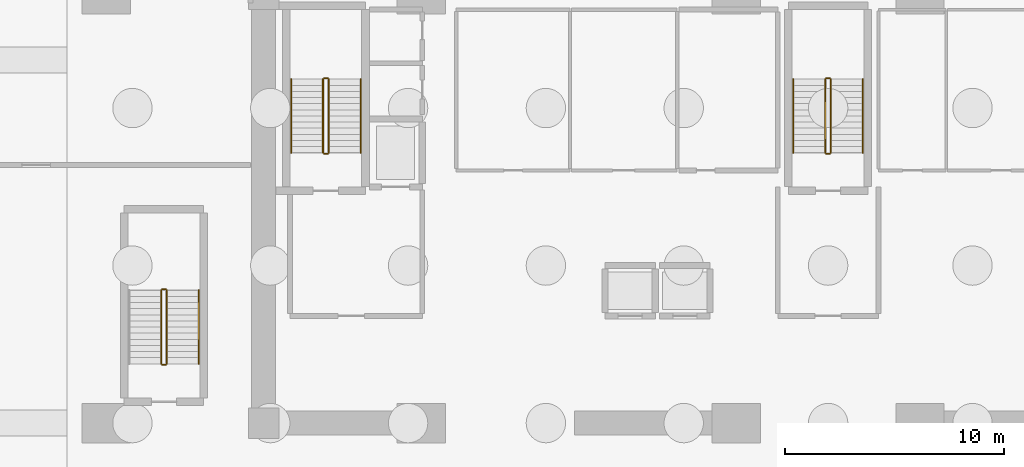
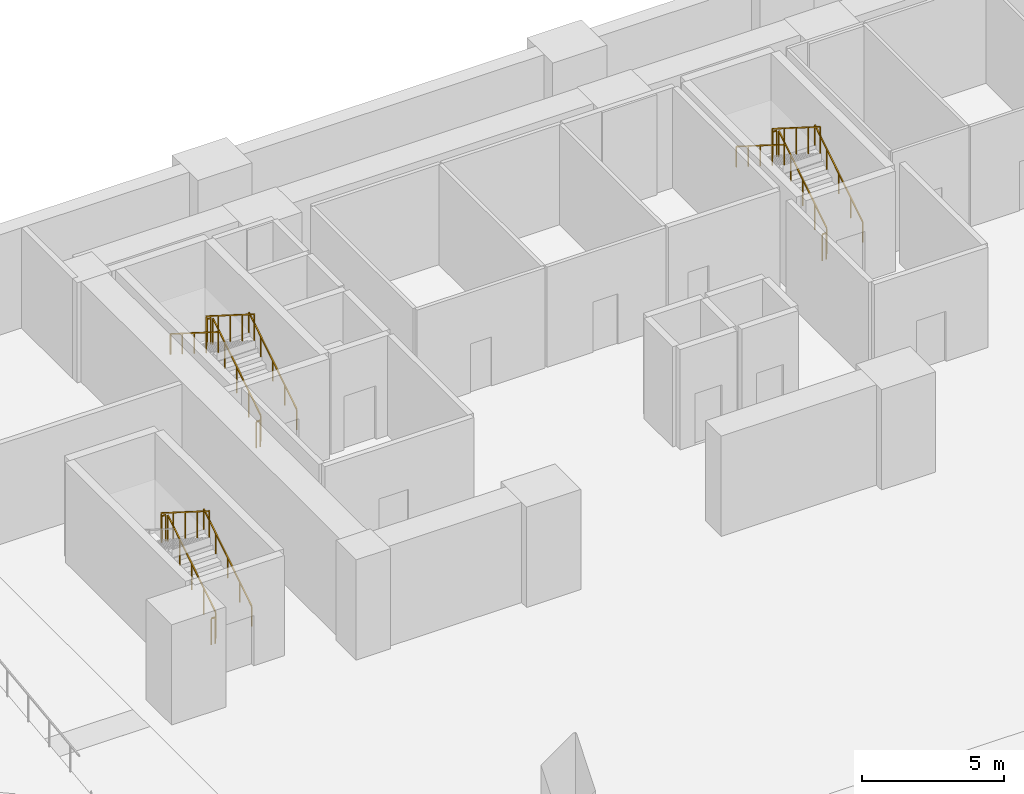
# One storey, part 8 of 10: 17 railings.
"""IFC4 building model written with IfcOpenShell, lengths in metres."""

from ifc_helpers import new_model, si_unit, direction, frame, origin, origin_2d, place, context, subcontext, project, spatial, rectangle, extrude, material, type_object, element, save


model = new_model("IFC4")

# Units and contexts
model_context = context("Model", 3, precision=1e-05, world=origin(), true_north=direction((0.0, 1.0)))
body_context = subcontext(model_context, "Body", "Model", "MODEL_VIEW")
ifc_project = project(units=[si_unit("LENGTHUNIT", "METRE"), si_unit("AREAUNIT", "SQUARE_METRE"), si_unit("VOLUMEUNIT", "CUBIC_METRE"), si_unit("PLANEANGLEUNIT", "RADIAN"), si_unit("MASSUNIT", "GRAM", prefix="KILO")], contexts=[model_context])

# Site, building, storey
site_placement = place(None, origin())
site = spatial("IfcSite", under=ifc_project, at=site_placement, CompositionType="ELEMENT")
building_placement = place(site_placement, origin())
building = spatial("IfcBuilding", under=site, at=building_placement, Name="Kaelvorn Grand Hotel", CompositionType="ELEMENT")
storey_placement = place(building_placement, frame((0.0, 0.0, -9.199951171875)))
storey = spatial("IfcBuildingStorey", under=building, at=storey_placement, Name="B02", CompositionType="ELEMENT", Elevation=-9.199951171875)

# Railings
ifc_material = material(Name="Stainless Steel", Category="steel")
railing_type_1 = type_object("IfcRailingType", Name="RL-HANDRAIL-900", PredefinedType="HANDRAIL", material=ifc_material)
railing_1_placement = place(storey_placement, frame((20.6298828125, 41.760009765625, 0.1767578125)))
element("IfcRailing", 1, at=railing_1_placement, inside=storey, type_object=railing_type_1, Name="B02 ST1 stair handrail 1", PredefinedType="HANDRAIL", context=body_context, shape_type="SweptSolid", body=[
    extrude(rectangle(XDim=0.048095703125, YDim=0.048095703125, at=origin_2d()), frame((0.0, 0.0, 0.8759765625), z_axis=(0.0, 0.845361898145, 0.534194029511), x_axis=(-1.0, 0.0, 0.0)), (0.0, 0.0, 1.0), 3.974853515625),
    extrude(rectangle(XDim=0.0419921875, YDim=0.0419921875, at=origin_2d()), origin(), (0.0, 0.0, 1.0), 0.851806640625),
    extrude(rectangle(XDim=0.0419921875, YDim=0.0419921875, at=origin_2d()), frame((0.0, 0.840087890625, 0.53076171875)), (0.0, 0.0, 1.0), 0.851806640625),
    extrude(rectangle(XDim=0.0419921875, YDim=0.0419921875, at=origin_2d()), frame((0.0, 1.68017578125, 1.0615234375)), (0.0, 0.0, 1.0), 0.851806640625),
    extrude(rectangle(XDim=0.0419921875, YDim=0.0419921875, at=origin_2d()), frame((0.0, 2.52001953125, 1.592529296875)), (0.0, 0.0, 1.0), 0.851806640625),
    extrude(rectangle(XDim=0.0419921875, YDim=0.0419921875, at=origin_2d()), frame((0.0, 3.360107421875, 2.123291015625)), (0.0, 0.0, 1.0), 0.851806640625),
])
railing_2_placement = place(storey_placement, frame((17.449951171875, 45.1201171875, 2.476806640625)))
element("IfcRailing", 2, at=railing_2_placement, inside=storey, type_object=railing_type_1, Name="B02 ST1 stair handrail 2", PredefinedType="HANDRAIL", context=body_context, shape_type="SweptSolid", body=[
    extrude(rectangle(XDim=0.048095703125, YDim=0.048095703125, at=origin_2d()), frame((0.0, 0.0, 0.8759765625), z_axis=(0.0, -0.845389635667, 0.534150132366), x_axis=(1.0, 0.0, 0.0)), (0.0, 0.0, 1.0), 3.974609375),
    extrude(rectangle(XDim=0.0419921875, YDim=0.0419921875, at=origin_2d()), origin(), (0.0, 0.0, 1.0), 0.851806640625),
    extrude(rectangle(XDim=0.0419921875, YDim=0.0419921875, at=origin_2d()), frame((0.0, -0.840087890625, 0.53076171875)), (0.0, 0.0, 1.0), 0.851806640625),
    extrude(rectangle(XDim=0.0419921875, YDim=0.0419921875, at=origin_2d()), frame((0.0, -1.68017578125, 1.0615234375)), (0.0, 0.0, 1.0), 0.851806640625),
    extrude(rectangle(XDim=0.0419921875, YDim=0.0419921875, at=origin_2d()), frame((0.0, -2.52001953125, 1.59228515625)), (0.0, 0.0, 1.0), 0.851806640625),
    extrude(rectangle(XDim=0.0419921875, YDim=0.0419921875, at=origin_2d()), frame((0.0, -3.360107421875, 2.123046875)), (0.0, 0.0, 1.0), 0.851806640625),
])
railing_3_placement = place(storey_placement, frame((43.590087890625, 41.760009765625, 0.1767578125)))
element("IfcRailing", 3, at=railing_3_placement, inside=storey, type_object=railing_type_1, Name="B02 ST2 stair handrail 1", PredefinedType="HANDRAIL", context=body_context, shape_type="SweptSolid", body=[
    extrude(rectangle(XDim=0.048095703125, YDim=0.048095703125, at=origin_2d()), frame((0.0, 0.0, 0.8759765625), z_axis=(0.0, 0.845361898145, 0.534194029511), x_axis=(-1.0, 0.0, 0.0)), (0.0, 0.0, 1.0), 3.974853515625),
    extrude(rectangle(XDim=0.0419921875, YDim=0.0419921875, at=origin_2d()), origin(), (0.0, 0.0, 1.0), 0.851806640625),
    extrude(rectangle(XDim=0.0419921875, YDim=0.0419921875, at=origin_2d()), frame((0.0, 0.840087890625, 0.53076171875)), (0.0, 0.0, 1.0), 0.851806640625),
    extrude(rectangle(XDim=0.0419921875, YDim=0.0419921875, at=origin_2d()), frame((0.0, 1.68017578125, 1.0615234375)), (0.0, 0.0, 1.0), 0.851806640625),
    extrude(rectangle(XDim=0.0419921875, YDim=0.0419921875, at=origin_2d()), frame((0.0, 2.52001953125, 1.592529296875)), (0.0, 0.0, 1.0), 0.851806640625),
    extrude(rectangle(XDim=0.0419921875, YDim=0.0419921875, at=origin_2d()), frame((0.0, 3.360107421875, 2.123291015625)), (0.0, 0.0, 1.0), 0.851806640625),
])
railing_4_placement = place(storey_placement, frame((40.409912109375, 45.1201171875, 2.476806640625)))
element("IfcRailing", 4, at=railing_4_placement, inside=storey, type_object=railing_type_1, Name="B02 ST2 stair handrail 2", PredefinedType="HANDRAIL", context=body_context, shape_type="SweptSolid", body=[
    extrude(rectangle(XDim=0.048095703125, YDim=0.048095703125, at=origin_2d()), frame((0.0, 0.0, 0.8759765625), z_axis=(0.0, -0.845389635667, 0.534150132366), x_axis=(1.0, 0.0, 0.0)), (0.0, 0.0, 1.0), 3.974609375),
    extrude(rectangle(XDim=0.0419921875, YDim=0.0419921875, at=origin_2d()), origin(), (0.0, 0.0, 1.0), 0.851806640625),
    extrude(rectangle(XDim=0.0419921875, YDim=0.0419921875, at=origin_2d()), frame((0.0, -0.840087890625, 0.53076171875)), (0.0, 0.0, 1.0), 0.851806640625),
    extrude(rectangle(XDim=0.0419921875, YDim=0.0419921875, at=origin_2d()), frame((0.0, -1.68017578125, 1.0615234375)), (0.0, 0.0, 1.0), 0.851806640625),
    extrude(rectangle(XDim=0.0419921875, YDim=0.0419921875, at=origin_2d()), frame((0.0, -2.52001953125, 1.59228515625)), (0.0, 0.0, 1.0), 0.851806640625),
    extrude(rectangle(XDim=0.0419921875, YDim=0.0419921875, at=origin_2d()), frame((0.0, -3.360107421875, 2.123046875)), (0.0, 0.0, 1.0), 0.851806640625),
])
railing_5_placement = place(storey_placement, frame((13.22998046875, 32.110107421875, 0.1767578125)))
element("IfcRailing", 5, at=railing_5_placement, inside=storey, type_object=railing_type_1, Name="B02 ST4 stair handrail 1", PredefinedType="HANDRAIL", context=body_context, shape_type="SweptSolid", body=[
    extrude(rectangle(XDim=0.048095703125, YDim=0.048095703125, at=origin_2d()), frame((0.0, 0.0, 0.8759765625), z_axis=(0.0, 0.845344368971, 0.534221768416), x_axis=(-1.0, 0.0, 0.0)), (0.0, 0.0, 1.0), 3.974609375),
    extrude(rectangle(XDim=0.0419921875, YDim=0.0419921875, at=origin_2d()), origin(), (0.0, 0.0, 1.0), 0.851806640625),
    extrude(rectangle(XDim=0.0419921875, YDim=0.0419921875, at=origin_2d()), frame((0.0, 0.83984375, 0.53076171875)), (0.0, 0.0, 1.0), 0.851806640625),
    extrude(rectangle(XDim=0.0419921875, YDim=0.0419921875, at=origin_2d()), frame((0.0, 1.679931640625, 1.0615234375)), (0.0, 0.0, 1.0), 0.851806640625),
    extrude(rectangle(XDim=0.0419921875, YDim=0.0419921875, at=origin_2d()), frame((0.0, 2.52001953125, 1.592529296875)), (0.0, 0.0, 1.0), 0.851806640625),
    extrude(rectangle(XDim=0.0419921875, YDim=0.0419921875, at=origin_2d()), frame((0.0, 3.35986328125, 2.123291015625)), (0.0, 0.0, 1.0), 0.851806640625),
])
railing_type_2 = type_object("IfcRailingType", Name="RL-STAIR-GUARD-1150", PredefinedType="BALUSTRADE", material=ifc_material)
railing_6_placement = place(storey_placement, frame((19.169921875, 41.760009765625, 0.1767578125)))
element("IfcRailing", 6, at=railing_6_placement, inside=storey, type_object=railing_type_2, Name="B02 ST1 stair guard 1", PredefinedType="BALUSTRADE", context=body_context, shape_type="SweptSolid", body=[
    extrude(rectangle(XDim=0.048095703125, YDim=0.048095703125, at=origin_2d()), frame((0.0, 0.0, 1.1259765625), z_axis=(0.0, 0.845361898145, 0.534194029511), x_axis=(-1.0, 0.0, 0.0)), (0.0, 0.0, 1.0), 3.974853515625),
    extrude(rectangle(XDim=0.0419921875, YDim=0.0419921875, at=origin_2d()), origin(), (0.0, 0.0, 1.0), 1.101806640625),
    extrude(rectangle(XDim=0.0419921875, YDim=0.0419921875, at=origin_2d()), frame((0.0, 0.840087890625, 0.53076171875)), (0.0, 0.0, 1.0), 1.101806640625),
    extrude(rectangle(XDim=0.0419921875, YDim=0.0419921875, at=origin_2d()), frame((0.0, 1.68017578125, 1.0615234375)), (0.0, 0.0, 1.0), 1.101806640625),
    extrude(rectangle(XDim=0.0419921875, YDim=0.0419921875, at=origin_2d()), frame((0.0, 2.52001953125, 1.592529296875)), (0.0, 0.0, 1.0), 1.101806640625),
    extrude(rectangle(XDim=0.0419921875, YDim=0.0419921875, at=origin_2d()), frame((0.0, 3.360107421875, 2.123291015625)), (0.0, 0.0, 1.0), 1.101806640625),
])
railing_7_placement = place(storey_placement, frame((19.1201171875, 45.169921875, 2.300048828125)))
element("IfcRailing", 7, at=railing_7_placement, inside=storey, type_object=railing_type_2, Name="B02 ST1 stair guard 2", PredefinedType="BALUSTRADE", context=body_context, shape_type="SweptSolid", body=[
    extrude(rectangle(XDim=0.048095703125, YDim=0.048095703125, at=origin_2d()), frame((0.0, 0.0, 1.1259765625), z_axis=(-1.0, 0.0, 0.0), x_axis=(0.0, -1.0, 0.0)), (0.0, 0.0, 1.0), 0.16015625),
    extrude(rectangle(XDim=0.0419921875, YDim=0.0419921875, at=origin_2d()), origin(), (0.0, 0.0, 1.0), 1.101806640625),
    extrude(rectangle(XDim=0.0419921875, YDim=0.0419921875, at=origin_2d()), frame((-0.16015625, 0.0, 0.0)), (0.0, 0.0, 1.0), 1.101806640625),
])
railing_8_placement = place(storey_placement, frame((18.909912109375, 45.1201171875, 2.476806640625)))
element("IfcRailing", 8, at=railing_8_placement, inside=storey, type_object=railing_type_2, Name="B02 ST1 stair guard 3", PredefinedType="BALUSTRADE", context=body_context, shape_type="SweptSolid", body=[
    extrude(rectangle(XDim=0.048095703125, YDim=0.048095703125, at=origin_2d()), frame((0.0, 0.0, 1.1259765625), z_axis=(0.0, -0.845389635667, 0.534150132366), x_axis=(1.0, 0.0, 0.0)), (0.0, 0.0, 1.0), 3.974609375),
    extrude(rectangle(XDim=0.0419921875, YDim=0.0419921875, at=origin_2d()), origin(), (0.0, 0.0, 1.0), 1.101806640625),
    extrude(rectangle(XDim=0.0419921875, YDim=0.0419921875, at=origin_2d()), frame((0.0, -0.840087890625, 0.53076171875)), (0.0, 0.0, 1.0), 1.101806640625),
    extrude(rectangle(XDim=0.0419921875, YDim=0.0419921875, at=origin_2d()), frame((0.0, -1.68017578125, 1.0615234375)), (0.0, 0.0, 1.0), 1.101806640625),
    extrude(rectangle(XDim=0.0419921875, YDim=0.0419921875, at=origin_2d()), frame((0.0, -2.52001953125, 1.59228515625)), (0.0, 0.0, 1.0), 1.101806640625),
    extrude(rectangle(XDim=0.0419921875, YDim=0.0419921875, at=origin_2d()), frame((0.0, -3.360107421875, 2.123046875)), (0.0, 0.0, 1.0), 1.101806640625),
])
railing_9_placement = place(storey_placement, frame((19.1201171875, 41.7099609375, 0.0)))
element("IfcRailing", 9, at=railing_9_placement, inside=storey, type_object=railing_type_2, Name="B02 ST1 stair guard 4", PredefinedType="BALUSTRADE", context=body_context, shape_type="SweptSolid", body=[
    extrude(rectangle(XDim=0.048095703125, YDim=0.048095703125, at=origin_2d()), frame((0.0, 0.0, 1.1259765625), z_axis=(-1.0, 0.0, 0.0), x_axis=(0.0, -1.0, 0.0)), (0.0, 0.0, 1.0), 0.16015625),
    extrude(rectangle(XDim=0.0419921875, YDim=0.0419921875, at=origin_2d()), origin(), (0.0, 0.0, 1.0), 1.101806640625),
    extrude(rectangle(XDim=0.0419921875, YDim=0.0419921875, at=origin_2d()), frame((-0.16015625, 0.0, 0.0)), (0.0, 0.0, 1.0), 1.101806640625),
])
railing_10_placement = place(storey_placement, frame((42.1298828125, 41.760009765625, 0.1767578125)))
element("IfcRailing", 10, at=railing_10_placement, inside=storey, type_object=railing_type_2, Name="B02 ST2 stair guard 1", PredefinedType="BALUSTRADE", context=body_context, shape_type="SweptSolid", body=[
    extrude(rectangle(XDim=0.048095703125, YDim=0.048095703125, at=origin_2d()), frame((0.0, 0.0, 1.1259765625), z_axis=(0.0, 0.845361898145, 0.534194029511), x_axis=(-1.0, 0.0, 0.0)), (0.0, 0.0, 1.0), 3.974853515625),
    extrude(rectangle(XDim=0.0419921875, YDim=0.0419921875, at=origin_2d()), origin(), (0.0, 0.0, 1.0), 1.101806640625),
    extrude(rectangle(XDim=0.0419921875, YDim=0.0419921875, at=origin_2d()), frame((0.0, 0.840087890625, 0.53076171875)), (0.0, 0.0, 1.0), 1.101806640625),
    extrude(rectangle(XDim=0.0419921875, YDim=0.0419921875, at=origin_2d()), frame((0.0, 1.68017578125, 1.0615234375)), (0.0, 0.0, 1.0), 1.101806640625),
    extrude(rectangle(XDim=0.0419921875, YDim=0.0419921875, at=origin_2d()), frame((0.0, 2.52001953125, 1.592529296875)), (0.0, 0.0, 1.0), 1.101806640625),
    extrude(rectangle(XDim=0.0419921875, YDim=0.0419921875, at=origin_2d()), frame((0.0, 3.360107421875, 2.123291015625)), (0.0, 0.0, 1.0), 1.101806640625),
])
railing_11_placement = place(storey_placement, frame((42.080078125, 45.169921875, 2.300048828125)))
element("IfcRailing", 11, at=railing_11_placement, inside=storey, type_object=railing_type_2, Name="B02 ST2 stair guard 2", PredefinedType="BALUSTRADE", context=body_context, shape_type="SweptSolid", body=[
    extrude(rectangle(XDim=0.048095703125, YDim=0.048095703125, at=origin_2d()), frame((0.0, 0.0, 1.1259765625), z_axis=(-1.0, 0.0, 0.0), x_axis=(0.0, -1.0, 0.0)), (0.0, 0.0, 1.0), 0.16015625),
    extrude(rectangle(XDim=0.0419921875, YDim=0.0419921875, at=origin_2d()), origin(), (0.0, 0.0, 1.0), 1.101806640625),
    extrude(rectangle(XDim=0.0419921875, YDim=0.0419921875, at=origin_2d()), frame((-0.16015625, 0.0, 0.0)), (0.0, 0.0, 1.0), 1.101806640625),
])
railing_12_placement = place(storey_placement, frame((41.8701171875, 45.1201171875, 2.476806640625)))
element("IfcRailing", 12, at=railing_12_placement, inside=storey, type_object=railing_type_2, Name="B02 ST2 stair guard 3", PredefinedType="BALUSTRADE", context=body_context, shape_type="SweptSolid", body=[
    extrude(rectangle(XDim=0.048095703125, YDim=0.048095703125, at=origin_2d()), frame((0.0, 0.0, 1.1259765625), z_axis=(0.0, -0.845389635667, 0.534150132366), x_axis=(1.0, 0.0, 0.0)), (0.0, 0.0, 1.0), 3.974609375),
    extrude(rectangle(XDim=0.0419921875, YDim=0.0419921875, at=origin_2d()), origin(), (0.0, 0.0, 1.0), 1.101806640625),
    extrude(rectangle(XDim=0.0419921875, YDim=0.0419921875, at=origin_2d()), frame((0.0, -0.840087890625, 0.53076171875)), (0.0, 0.0, 1.0), 1.101806640625),
    extrude(rectangle(XDim=0.0419921875, YDim=0.0419921875, at=origin_2d()), frame((0.0, -1.68017578125, 1.0615234375)), (0.0, 0.0, 1.0), 1.101806640625),
    extrude(rectangle(XDim=0.0419921875, YDim=0.0419921875, at=origin_2d()), frame((0.0, -2.52001953125, 1.59228515625)), (0.0, 0.0, 1.0), 1.101806640625),
    extrude(rectangle(XDim=0.0419921875, YDim=0.0419921875, at=origin_2d()), frame((0.0, -3.360107421875, 2.123046875)), (0.0, 0.0, 1.0), 1.101806640625),
])
railing_13_placement = place(storey_placement, frame((42.080078125, 41.7099609375, 0.0)))
element("IfcRailing", 13, at=railing_13_placement, inside=storey, type_object=railing_type_2, Name="B02 ST2 stair guard 4", PredefinedType="BALUSTRADE", context=body_context, shape_type="SweptSolid", body=[
    extrude(rectangle(XDim=0.048095703125, YDim=0.048095703125, at=origin_2d()), frame((0.0, 0.0, 1.1259765625), z_axis=(-1.0, 0.0, 0.0), x_axis=(0.0, -1.0, 0.0)), (0.0, 0.0, 1.0), 0.16015625),
    extrude(rectangle(XDim=0.0419921875, YDim=0.0419921875, at=origin_2d()), origin(), (0.0, 0.0, 1.0), 1.101806640625),
    extrude(rectangle(XDim=0.0419921875, YDim=0.0419921875, at=origin_2d()), frame((-0.16015625, 0.0, 0.0)), (0.0, 0.0, 1.0), 1.101806640625),
])
railing_14_placement = place(storey_placement, frame((11.77001953125, 32.110107421875, 0.1767578125)))
element("IfcRailing", 14, at=railing_14_placement, inside=storey, type_object=railing_type_2, Name="B02 ST4 stair guard 1", PredefinedType="BALUSTRADE", context=body_context, shape_type="SweptSolid", body=[
    extrude(rectangle(XDim=0.048095703125, YDim=0.048095703125, at=origin_2d()), frame((0.0, 0.0, 1.1259765625), z_axis=(0.0, 0.845344368971, 0.534221768416), x_axis=(-1.0, 0.0, 0.0)), (0.0, 0.0, 1.0), 3.974609375),
    extrude(rectangle(XDim=0.0419921875, YDim=0.0419921875, at=origin_2d()), origin(), (0.0, 0.0, 1.0), 1.101806640625),
    extrude(rectangle(XDim=0.0419921875, YDim=0.0419921875, at=origin_2d()), frame((0.0, 0.83984375, 0.53076171875)), (0.0, 0.0, 1.0), 1.101806640625),
    extrude(rectangle(XDim=0.0419921875, YDim=0.0419921875, at=origin_2d()), frame((0.0, 1.679931640625, 1.0615234375)), (0.0, 0.0, 1.0), 1.101806640625),
    extrude(rectangle(XDim=0.0419921875, YDim=0.0419921875, at=origin_2d()), frame((0.0, 2.52001953125, 1.592529296875)), (0.0, 0.0, 1.0), 1.101806640625),
    extrude(rectangle(XDim=0.0419921875, YDim=0.0419921875, at=origin_2d()), frame((0.0, 3.35986328125, 2.123291015625)), (0.0, 0.0, 1.0), 1.101806640625),
])
railing_15_placement = place(storey_placement, frame((11.719970703125, 35.52001953125, 2.300048828125)))
element("IfcRailing", 15, at=railing_15_placement, inside=storey, type_object=railing_type_2, Name="B02 ST4 stair guard 2", PredefinedType="BALUSTRADE", context=body_context, shape_type="SweptSolid", body=[
    extrude(rectangle(XDim=0.048095703125, YDim=0.048095703125, at=origin_2d()), frame((0.0, 0.0, 1.1259765625), z_axis=(-1.0, 0.0, 0.0), x_axis=(0.0, -1.0, 0.0)), (0.0, 0.0, 1.0), 0.159912109375),
    extrude(rectangle(XDim=0.0419921875, YDim=0.0419921875, at=origin_2d()), origin(), (0.0, 0.0, 1.0), 1.101806640625),
    extrude(rectangle(XDim=0.0419921875, YDim=0.0419921875, at=origin_2d()), frame((-0.159912109375, 0.0, 0.0)), (0.0, 0.0, 1.0), 1.101806640625),
])
railing_16_placement = place(storey_placement, frame((11.510009765625, 35.469970703125, 2.476806640625)))
element("IfcRailing", 16, at=railing_16_placement, inside=storey, type_object=railing_type_2, Name="B02 ST4 stair guard 3", PredefinedType="BALUSTRADE", context=body_context, shape_type="SweptSolid", body=[
    extrude(rectangle(XDim=0.048095703125, YDim=0.048095703125, at=origin_2d()), frame((0.0, 0.0, 1.1259765625), z_axis=(0.0, -0.845372108799, 0.534177870812), x_axis=(1.0, 0.0, 0.0)), (0.0, 0.0, 1.0), 3.974365234375),
    extrude(rectangle(XDim=0.0419921875, YDim=0.0419921875, at=origin_2d()), origin(), (0.0, 0.0, 1.0), 1.101806640625),
    extrude(rectangle(XDim=0.0419921875, YDim=0.0419921875, at=origin_2d()), frame((0.0, -0.83984375, 0.53076171875)), (0.0, 0.0, 1.0), 1.101806640625),
    extrude(rectangle(XDim=0.0419921875, YDim=0.0419921875, at=origin_2d()), frame((0.0, -1.679931640625, 1.0615234375)), (0.0, 0.0, 1.0), 1.101806640625),
    extrude(rectangle(XDim=0.0419921875, YDim=0.0419921875, at=origin_2d()), frame((0.0, -2.52001953125, 1.59228515625)), (0.0, 0.0, 1.0), 1.101806640625),
    extrude(rectangle(XDim=0.0419921875, YDim=0.0419921875, at=origin_2d()), frame((0.0, -3.35986328125, 2.123046875)), (0.0, 0.0, 1.0), 1.101806640625),
])
railing_17_placement = place(storey_placement, frame((11.719970703125, 32.06005859375, 0.0)))
element("IfcRailing", 17, at=railing_17_placement, inside=storey, type_object=railing_type_2, Name="B02 ST4 stair guard 4", PredefinedType="BALUSTRADE", context=body_context, shape_type="SweptSolid", body=[
    extrude(rectangle(XDim=0.048095703125, YDim=0.048095703125, at=origin_2d()), frame((0.0, 0.0, 1.1259765625), z_axis=(-1.0, 0.0, 0.0), x_axis=(0.0, -1.0, 0.0)), (0.0, 0.0, 1.0), 0.159912109375),
    extrude(rectangle(XDim=0.0419921875, YDim=0.0419921875, at=origin_2d()), origin(), (0.0, 0.0, 1.0), 1.101806640625),
    extrude(rectangle(XDim=0.0419921875, YDim=0.0419921875, at=origin_2d()), frame((-0.159912109375, 0.0, 0.0)), (0.0, 0.0, 1.0), 1.101806640625),
])

save(model, "model.ifc")
